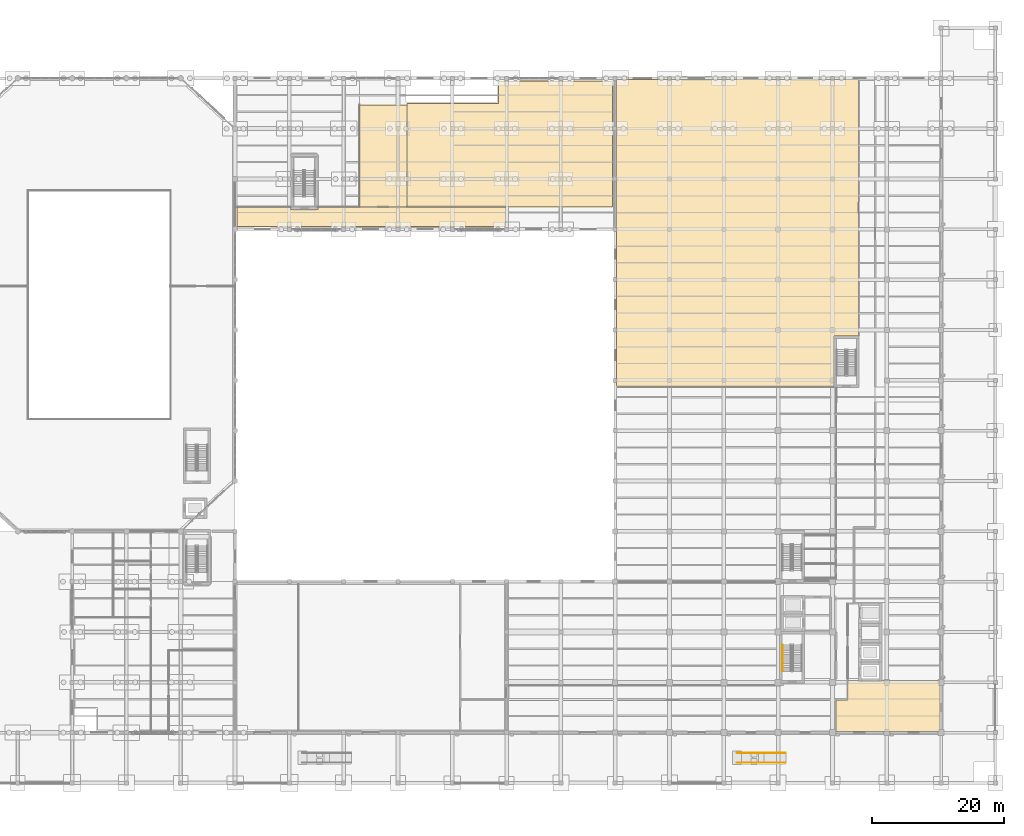
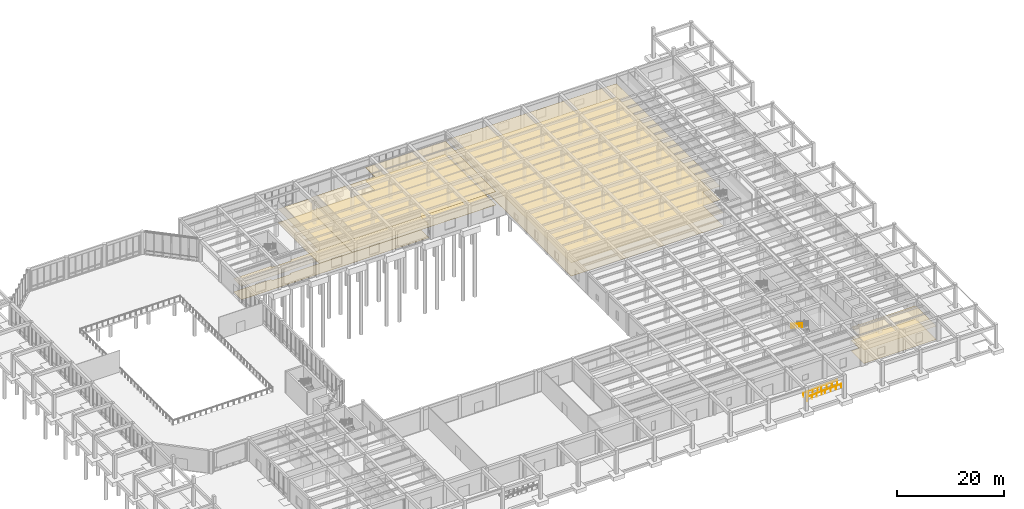
# One storey, part 59 of 64: 10 coverings, 3 railings.
"""IFC4 building model written with IfcOpenShell, lengths in metres."""

from ifc_helpers import new_model, si_unit, direction, frame, origin, origin_2d, place, context, subcontext, project, spatial, polyline, circle, outline, extrude, material, layer, layer_set, type_object, element, save


model = new_model("IFC4")

# Units and contexts
model_context = context("Model", 3, precision=1e-05, world=origin(), true_north=direction((0.0, 1.0)))
body_context = subcontext(model_context, "Body", "Model", "MODEL_VIEW")
ifc_project = project(units=[si_unit("LENGTHUNIT", "METRE"), si_unit("AREAUNIT", "SQUARE_METRE"), si_unit("VOLUMEUNIT", "CUBIC_METRE"), si_unit("PLANEANGLEUNIT", "RADIAN"), si_unit("MASSUNIT", "GRAM", prefix="KILO")], contexts=[model_context])

# Site, building, storey
site_placement = place(None, origin())
site = spatial("IfcSite", under=ifc_project, at=site_placement, CompositionType="ELEMENT")
building_placement = place(site_placement, origin())
building = spatial("IfcBuilding", under=site, at=building_placement, Name="Qandaris Square Conservatory and Botanical Centre", CompositionType="ELEMENT")
storey_placement = place(building_placement, origin())
storey = spatial("IfcBuildingStorey", under=building, at=storey_placement, Name="L00", CompositionType="ELEMENT", Elevation=0.0)

# Coverings
ifc_material_1 = material(Name="Honed Qatari Limestone", Category="masonry")
ifc_layer_1 = layer(ifc_material_1, 0.030029296875)
ifc_layer_set_1 = layer_set([ifc_layer_1], Name="Honed Qatari Limestone")
covering_type_1 = type_object("IfcCoveringType", Name="Honed Qatari Limestone Concourse Paving", PredefinedType="FLOORING", material=ifc_layer_set_1)
covering_1_placement = place(storey_placement, origin())
element("IfcCovering", 1, at=covering_1_placement, inside=storey, type_object=covering_type_1, Name="North Pavilion Circulation Corridor Flooring", PredefinedType="FLOORING", context=body_context, shape_type="SweptSolid", body=[
    extrude(outline(polyline([(98.0, 93.0), (57.5, 93.0), (57.5, 95.949951171875), (65.60009765625, 95.949951171875), (65.60009765625, 95.60009765625), (69.699951171875, 95.60009765625), (69.699951171875, 95.949951171875), (98.0, 95.949951171875), (98.0, 93.0)])), origin(), (0.0, 0.0, 1.0), 0.030029296875),
])
covering_2_placement = place(storey_placement, origin())
element("IfcCovering", 2, at=covering_2_placement, inside=storey, type_object=covering_type_1, Name="Visitor Centre Parkland Exhibition Gallery Flooring", PredefinedType="FLOORING", context=body_context, shape_type="SweptSolid", body=[
    extrude(outline(polyline([(83.199951171875, 95.949951171875), (83.199951171875, 111.60009765625), (97.0, 111.60009765625), (97.0, 115.0), (114.199951171875, 115.0), (114.199951171875, 95.949951171875), (83.199951171875, 95.949951171875)])), origin(), (0.0, 0.0, 1.0), 0.030029296875),
])
ifc_material_2 = material(Name="Gypsum Plasterboard", Category="gypsum")
ifc_layer_2 = layer(ifc_material_2, 0.02490234375)
ifc_layer_set_2 = layer_set([ifc_layer_2], Name="Gypsum Plasterboard")
covering_type_2 = type_object("IfcCoveringType", Name="Perforated Acoustic Lab Ceiling Tile", PredefinedType="CEILING", material=ifc_layer_set_2)
covering_3_placement = place(storey_placement, frame((0.0, 0.0, 3.050048828125)))
element("IfcCovering", 3, at=covering_3_placement, inside=storey, type_object=covering_type_2, Name="Fire Command Room Ceiling", PredefinedType="CEILING", context=body_context, shape_type="SweptSolid", body=[
    extrude(outline(polyline([(147.949951171875, 21.550048828125), (149.699951171875, 21.550048828125), (149.699951171875, 23.699951171875), (149.699951171875, 24.5), (163.6201171875, 24.5), (163.6201171875, 16.780029296875), (147.949951171875, 16.780029296875), (147.949951171875, 21.550048828125)])), origin(), (0.0, 0.0, 1.0), 0.02490234375),
])
covering_4_placement = place(storey_placement, frame((0.0, 0.0, 3.050048828125)))
element("IfcCovering", 4, at=covering_4_placement, inside=storey, type_object=covering_type_2, Name="Desert Soil and Microbiome Laboratory Ceiling", PredefinedType="CEILING", context=body_context, shape_type="SweptSolid", body=[
    extrude(outline(polyline([(151.35009765625, 115.10009765625), (151.35009765625, 76.5), (147.60009765625, 76.5), (147.60009765625, 68.800048828125), (114.780029296875, 68.800048828125), (114.780029296875, 115.219970703125), (151.35009765625, 115.219970703125), (151.35009765625, 115.10009765625)])), origin(), (0.0, 0.0, 1.0), 0.02490234375),
])
covering_5_placement = place(storey_placement, frame((0.0, 0.0, 3.050048828125)))
element("IfcCovering", 5, at=covering_5_placement, inside=storey, type_object=covering_type_2, Name="North Pavilion Circulation Corridor Ceiling", PredefinedType="CEILING", context=body_context, shape_type="SweptSolid", body=[
    extrude(outline(polyline([(98.0, 93.0), (57.5, 93.0), (57.5, 95.949951171875), (65.60009765625, 95.949951171875), (65.60009765625, 95.60009765625), (69.699951171875, 95.60009765625), (69.699951171875, 95.949951171875), (98.0, 95.949951171875), (98.0, 93.0)])), origin(), (0.0, 0.0, 1.0), 0.02490234375),
])
covering_6_placement = place(storey_placement, frame((0.0, 0.0, 3.050048828125)))
element("IfcCovering", 6, at=covering_6_placement, inside=storey, type_object=covering_type_2, Name="Cafe Preparation Kitchen Ceiling", PredefinedType="CEILING", context=body_context, shape_type="SweptSolid", body=[
    extrude(outline(polyline([(76.0, 111.39990234375), (83.199951171875, 111.39990234375), (83.199951171875, 95.949951171875), (76.0, 95.949951171875), (76.0, 111.39990234375)])), origin(), (0.0, 0.0, 1.0), 0.02490234375),
])
ifc_material_3 = material(Name="Epoxy Resin Screed", Category="finish")
ifc_layer_3 = layer(ifc_material_3, 0.014892578125)
ifc_layer_set_3 = layer_set([ifc_layer_3], Name="Epoxy Resin Screed")
covering_type_3 = type_object("IfcCoveringType", Name="Seamless Epoxy Laboratory Flooring", PredefinedType="FLOORING", material=ifc_layer_set_3)
covering_7_placement = place(storey_placement, origin())
element("IfcCovering", 7, at=covering_7_placement, inside=storey, type_object=covering_type_3, Name="Fire Command Room Flooring", PredefinedType="FLOORING", context=body_context, shape_type="SweptSolid", body=[
    extrude(outline(polyline([(147.949951171875, 21.550048828125), (149.699951171875, 21.550048828125), (149.699951171875, 23.699951171875), (149.699951171875, 24.5), (163.6201171875, 24.5), (163.6201171875, 16.780029296875), (147.949951171875, 16.780029296875), (147.949951171875, 21.550048828125)])), origin(), (0.0, 0.0, 1.0), 0.014892578125),
])
covering_8_placement = place(storey_placement, origin())
element("IfcCovering", 8, at=covering_8_placement, inside=storey, type_object=covering_type_3, Name="Desert Soil and Microbiome Laboratory Flooring", PredefinedType="FLOORING", context=body_context, shape_type="SweptSolid", body=[
    extrude(outline(polyline([(151.35009765625, 115.10009765625), (151.35009765625, 76.5), (147.60009765625, 76.5), (147.60009765625, 68.800048828125), (114.780029296875, 68.800048828125), (114.780029296875, 115.219970703125), (151.35009765625, 115.219970703125), (151.35009765625, 115.10009765625)])), origin(), (0.0, 0.0, 1.0), 0.014892578125),
])
covering_9_placement = place(storey_placement, origin())
element("IfcCovering", 9, at=covering_9_placement, inside=storey, type_object=covering_type_3, Name="Cafe Preparation Kitchen Flooring", PredefinedType="FLOORING", context=body_context, shape_type="SweptSolid", body=[
    extrude(outline(polyline([(76.0, 111.39990234375), (83.199951171875, 111.39990234375), (83.199951171875, 95.949951171875), (76.0, 95.949951171875), (76.0, 111.39990234375)])), origin(), (0.0, 0.0, 1.0), 0.014892578125),
])
ifc_material_4 = material(Name="Engineered Oak Timber", Category="wood")
ifc_layer_4 = layer(ifc_material_4, 0.0400390625)
ifc_layer_set_4 = layer_set([ifc_layer_4], Name="Engineered Oak Timber")
covering_type_4 = type_object("IfcCoveringType", Name="Slatted Oak Acoustic Gallery Ceiling", PredefinedType="CEILING", material=ifc_layer_set_4)
covering_10_placement = place(storey_placement, frame((0.0, 0.0, 3.050048828125)))
element("IfcCovering", 10, at=covering_10_placement, inside=storey, type_object=covering_type_4, Name="Visitor Centre Parkland Exhibition Gallery Ceiling", PredefinedType="CEILING", context=body_context, shape_type="SweptSolid", body=[
    extrude(outline(polyline([(83.199951171875, 95.949951171875), (83.199951171875, 111.60009765625), (97.0, 111.60009765625), (97.0, 115.0), (114.199951171875, 115.0), (114.199951171875, 95.949951171875), (83.199951171875, 95.949951171875)])), origin(), (0.0, 0.0, 1.0), 0.0400390625),
])

# Railings
ifc_material_5 = material(Name="Stainless Steel", Category="steel")
railing_type = type_object("IfcRailingType", Name="Stair Tubular Handrail 920mm", PredefinedType="HANDRAIL", material=ifc_material_5)
for number, where, name in (
    (11, (133.0, 12.050048828125, -0.449951171875), "RMP-04 Handrail 1"),
    (12, (133.0, 13.550048828125, -0.449951171875), "RMP-04 Handrail 2"),
):
    element("IfcRailing", number, at=place(storey_placement, frame(where)), inside=storey, type_object=railing_type, Name=name, PredefinedType="HANDRAIL", context=body_context, shape_type="SweptSolid", body=[
        extrude(circle(Radius=0.02392578125, at=origin_2d()), frame((0.0, 0.0, 0.89599609375), z_axis=(0.996501235833, 0.0, 0.083578029309), x_axis=(0.0, 1.0, 0.0)), (0.0, 0.0, 1.0), 3.111083984375),
        extrude(circle(Radius=0.02392578125, at=origin_2d()), frame((3.10009765625, 0.0, 1.15576171875), z_axis=(1.0, 0.0, 0.0), x_axis=(0.0, 1.0, 0.0)), (0.0, 0.0, 1.0), 0.7998046875),
        extrude(circle(Radius=0.02392578125, at=origin_2d()), frame((3.89990234375, 0.0, 1.15576171875), z_axis=(0.998488054535, 0.0, 0.054969127259), x_axis=(0.0, 1.0, 0.0)), (0.0, 0.0, 1.0), 3.455322265625),
        extrude(circle(Radius=0.02099609375, at=origin_2d()), origin(), (0.0, 0.0, 1.0), 0.871826171875),
        extrude(circle(Radius=0.02099609375, at=origin_2d()), frame((1.033447265625, 0.0, 0.086669921875)), (0.0, 0.0, 1.0), 0.871826171875),
        extrude(circle(Radius=0.02099609375, at=origin_2d()), frame((2.066650390625, 0.0, 0.17333984375)), (0.0, 0.0, 1.0), 0.871826171875),
        extrude(circle(Radius=0.02099609375, at=origin_2d()), frame((3.10009765625, 0.0, 0.260009765625)), (0.0, 0.0, 1.0), 0.871826171875),
        extrude(circle(Radius=0.02099609375, at=origin_2d()), frame((3.89990234375, 0.0, 0.260009765625)), (0.0, 0.0, 1.0), 0.871826171875),
        extrude(circle(Radius=0.02099609375, at=origin_2d()), frame((5.050048828125, 0.0, 0.3232421875)), (0.0, 0.0, 1.0), 0.871826171875),
        extrude(circle(Radius=0.02099609375, at=origin_2d()), frame((6.199951171875, 0.0, 0.38671875)), (0.0, 0.0, 1.0), 0.871826171875),
        extrude(circle(Radius=0.02099609375, at=origin_2d()), frame((7.35009765625, 0.0, 0.449951171875)), (0.0, 0.0, 1.0), 0.871826171875),
    ])
railing_placement = place(storey_placement, frame((139.85009765625, 29.820068359375, 3.06005859375)))
element("IfcRailing", 13, at=railing_placement, inside=storey, type_object=railing_type, Name="L00 ST-1 stair handrail 2", PredefinedType="HANDRAIL", context=body_context, shape_type="SweptSolid", body=[
    extrude(circle(Radius=0.02392578125, at=origin_2d()), frame((0.0, 0.0, 0.89599609375), z_axis=(0.0, -0.841186985886, 0.540744352514), x_axis=(1.0, 0.0, 0.0)), (0.0, 0.0, 1.0), 4.660400390625),
    extrude(circle(Radius=0.02099609375, at=origin_2d()), origin(), (0.0, 0.0, 1.0), 0.871826171875),
    extrude(circle(Radius=0.02099609375, at=origin_2d()), frame((0.0, -0.97998046875, 0.6298828125)), (0.0, 0.0, 1.0), 0.871826171875),
    extrude(circle(Radius=0.02099609375, at=origin_2d()), frame((0.0, -1.9599609375, 1.260009765625)), (0.0, 0.0, 1.0), 0.871826171875),
    extrude(circle(Radius=0.02099609375, at=origin_2d()), frame((0.0, -2.940185546875, 1.89013671875)), (0.0, 0.0, 1.0), 0.871826171875),
    extrude(circle(Radius=0.02099609375, at=origin_2d()), frame((0.0, -3.920166015625, 2.52001953125)), (0.0, 0.0, 1.0), 0.871826171875),
])

save(model, "model.ifc")
